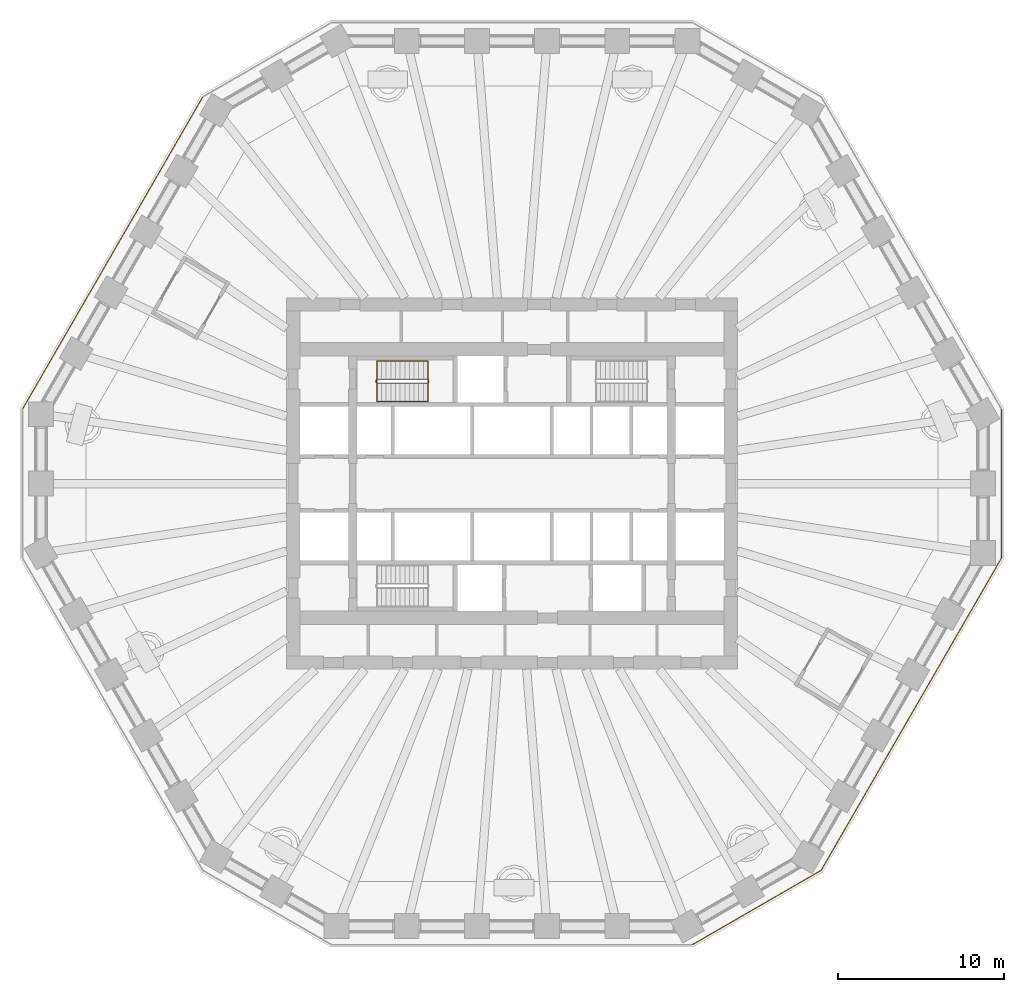
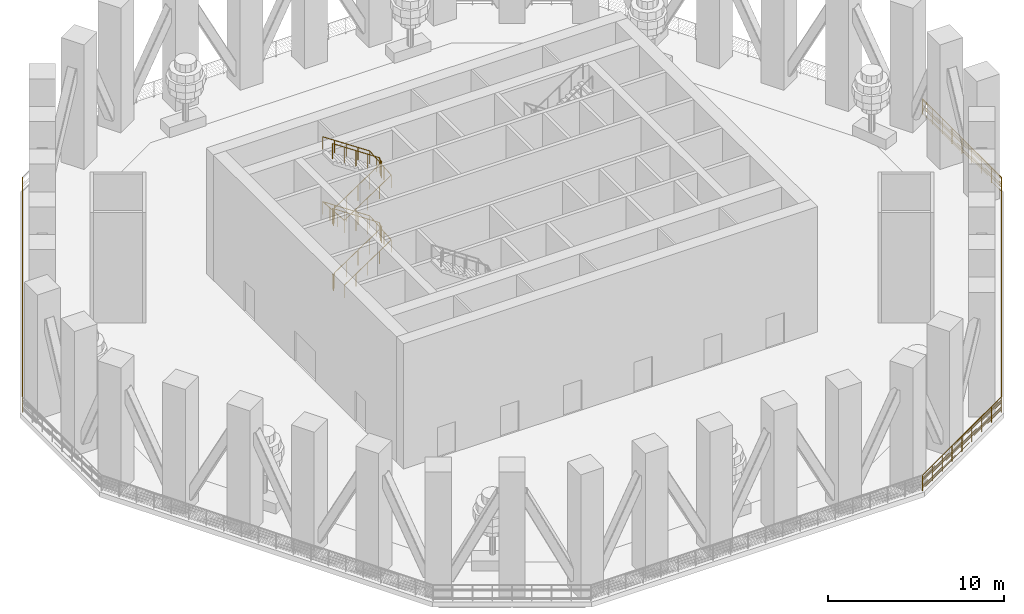
# One storey, part 7 of 10: 6 railings.
"""IFC4 building model written with IfcOpenShell, lengths in metres."""

from ifc_helpers import new_model, si_unit, direction, frame, origin, origin_2d, place, context, subcontext, project, spatial, circle, extrude, material, type_object, element, save


model = new_model("IFC4")

# Units and contexts
model_context = context("Model", 3, precision=1e-05, world=origin(), true_north=direction((0.0, 1.0)))
body_context = subcontext(model_context, "Body", "Model", "MODEL_VIEW")
ifc_project = project(units=[si_unit("LENGTHUNIT", "METRE"), si_unit("AREAUNIT", "SQUARE_METRE"), si_unit("VOLUMEUNIT", "CUBIC_METRE"), si_unit("PLANEANGLEUNIT", "RADIAN"), si_unit("MASSUNIT", "GRAM", prefix="KILO")], contexts=[model_context])

# Site, building, storey
site_placement = place(None, origin())
site = spatial("IfcSite", under=ifc_project, at=site_placement, CompositionType="ELEMENT")
building_placement = place(site_placement, origin())
building = spatial("IfcBuilding", under=site, at=building_placement, Name="Frailejon Research Tower", CompositionType="ELEMENT")
storey_placement = place(building_placement, frame((0.0, 0.0, 71.800048828125)))
storey = spatial("IfcBuildingStorey", under=building, at=storey_placement, Name="L16", CompositionType="ELEMENT", Elevation=71.800048828125)

# Railings
ifc_material_1 = material(Name="Stainless steel", Category="steel")
railing_type_1 = type_object("IfcRailingType", Name="Stair guard 1100", PredefinedType="GUARDRAIL", material=ifc_material_1)
railing_1_placement = place(storey_placement, frame((-8.199951171875, 6.25, 0.0)))
element("IfcRailing", 1, at=railing_1_placement, inside=storey, type_object=railing_type_1, Name="L16 ST1 stair guard 1", PredefinedType="GUARDRAIL", context=body_context, shape_type="SweptSolid", body=[
    extrude(circle(Radius=0.02392578125, at=origin_2d()), frame((0.0, 0.0, 1.076171875), z_axis=(0.0, -1.0, 0.0), x_axis=(1.0, 0.0, 0.0)), (0.0, 0.0, 1.0), 0.14990234375),
    extrude(circle(Radius=0.02392578125, at=origin_2d()), frame((0.0, -0.14990234375, 1.076171875), z_axis=(0.249726431254, -0.249726431254, 0.935560483917), x_axis=(0.707106781187, 0.707106781187, 0.0)), (0.0, 0.0, 1.0), 0.200439453125),
    extrude(circle(Radius=0.02392578125, at=origin_2d()), frame((0.050048828125, -0.199951171875, 1.263671875), z_axis=(0.830893310487, 0.0, 0.556431762742), x_axis=(0.0, 1.0, 0.0)), (0.0, 0.0, 1.0), 3.70654296875),
    extrude(circle(Radius=0.02392578125, at=origin_2d()), frame((3.1298828125, -0.199951171875, 3.326171875), z_axis=(0.707106781187, 0.707106781187, 0.0), x_axis=(-0.707106781187, 0.707106781187, 0.0)), (0.0, 0.0, 1.0), 0.07080078125),
    extrude(circle(Radius=0.02392578125, at=origin_2d()), frame((3.179931640625, -0.14990234375, 3.326171875), z_axis=(0.0, 1.0, 0.0), x_axis=(-1.0, 0.0, 0.0)), (0.0, 0.0, 1.0), 0.14990234375),
    extrude(circle(Radius=0.02392578125, at=origin_2d()), frame((3.179931640625, 0.0, 3.326171875), z_axis=(-0.249726431254, 0.249726431254, 0.935560483917), x_axis=(-0.707106781187, -0.707106781187, 0.0)), (0.0, 0.0, 1.0), 0.200439453125),
    extrude(circle(Radius=0.02392578125, at=origin_2d()), frame((3.1298828125, 0.050048828125, 3.513671875), z_axis=(-0.830893310487, 0.0, 0.556431762742), x_axis=(0.0, -1.0, 0.0)), (0.0, 0.0, 1.0), 3.70654296875),
    extrude(circle(Radius=0.02392578125, at=origin_2d()), frame((0.050048828125, 0.050048828125, 5.576171875), z_axis=(-0.707106781187, -0.707106781187, 0.0), x_axis=(0.707106781187, -0.707106781187, 0.0)), (0.0, 0.0, 1.0), 0.07080078125),
    extrude(circle(Radius=0.02392578125, at=origin_2d()), frame((0.0, 0.0, 5.576171875), z_axis=(0.0, -1.0, 0.0), x_axis=(1.0, 0.0, 0.0)), (0.0, 0.0, 1.0), 0.14990234375),
    extrude(circle(Radius=0.02392578125, at=origin_2d()), frame((0.0, -0.14990234375, 5.576171875), z_axis=(0.249726431254, -0.249726431254, 0.935560483917), x_axis=(0.707106781187, 0.707106781187, 0.0)), (0.0, 0.0, 1.0), 0.200439453125),
    extrude(circle(Radius=0.02392578125, at=origin_2d()), frame((0.050048828125, -0.199951171875, 5.763671875), z_axis=(0.830893310487, 0.0, 0.556431762742), x_axis=(0.0, 1.0, 0.0)), (0.0, 0.0, 1.0), 3.70654296875),
    extrude(circle(Radius=0.02392578125, at=origin_2d()), frame((3.1298828125, -0.199951171875, 7.826171875), z_axis=(0.707106781187, 0.707106781187, 0.0), x_axis=(-0.707106781187, 0.707106781187, 0.0)), (0.0, 0.0, 1.0), 0.07080078125),
    extrude(circle(Radius=0.02392578125, at=origin_2d()), frame((3.179931640625, -0.14990234375, 7.826171875), z_axis=(0.0, 1.0, 0.0), x_axis=(-1.0, 0.0, 0.0)), (0.0, 0.0, 1.0), 0.14990234375),
    extrude(circle(Radius=0.02392578125, at=origin_2d()), frame((3.179931640625, 0.0, 7.826171875), z_axis=(-0.249726431254, 0.249726431254, 0.935560483917), x_axis=(-0.707106781187, -0.707106781187, 0.0)), (0.0, 0.0, 1.0), 0.200439453125),
    extrude(circle(Radius=0.02392578125, at=origin_2d()), frame((3.1298828125, 0.050048828125, 8.013671875), z_axis=(-0.830893310487, 0.0, 0.556431762742), x_axis=(0.0, -1.0, 0.0)), (0.0, 0.0, 1.0), 3.70654296875),
    extrude(circle(Radius=0.02099609375, at=origin_2d()), origin(), (0.0, 0.0, 1.0), 1.052001953125),
    extrude(circle(Radius=0.02099609375, at=origin_2d()), frame((0.0, -0.14990234375, 0.0)), (0.0, 0.0, 1.0), 1.052001953125),
    extrude(circle(Radius=0.02099609375, at=origin_2d()), frame((0.050048828125, -0.199951171875, 0.1875)), (0.0, 0.0, 1.0), 1.052001953125),
    extrude(circle(Radius=0.02099609375, at=origin_2d()), frame((0.820068359375, -0.199951171875, 0.703125)), (0.0, 0.0, 1.0), 1.052001953125),
    extrude(circle(Radius=0.02099609375, at=origin_2d()), frame((1.58984375, -0.199951171875, 1.21875)), (0.0, 0.0, 1.0), 1.052001953125),
    extrude(circle(Radius=0.02099609375, at=origin_2d()), frame((2.35986328125, -0.199951171875, 1.734375)), (0.0, 0.0, 1.0), 1.052001953125),
    extrude(circle(Radius=0.02099609375, at=origin_2d()), frame((3.1298828125, -0.199951171875, 2.25)), (0.0, 0.0, 1.0), 1.052001953125),
    extrude(circle(Radius=0.02099609375, at=origin_2d()), frame((3.179931640625, -0.14990234375, 2.25)), (0.0, 0.0, 1.0), 1.052001953125),
    extrude(circle(Radius=0.02099609375, at=origin_2d()), frame((3.179931640625, 0.0, 2.25)), (0.0, 0.0, 1.0), 1.052001953125),
    extrude(circle(Radius=0.02099609375, at=origin_2d()), frame((3.1298828125, 0.050048828125, 2.4375)), (0.0, 0.0, 1.0), 1.052001953125),
    extrude(circle(Radius=0.02099609375, at=origin_2d()), frame((2.35986328125, 0.050048828125, 2.953125)), (0.0, 0.0, 1.0), 1.052001953125),
    extrude(circle(Radius=0.02099609375, at=origin_2d()), frame((1.58984375, 0.050048828125, 3.46875)), (0.0, 0.0, 1.0), 1.052001953125),
    extrude(circle(Radius=0.02099609375, at=origin_2d()), frame((0.820068359375, 0.050048828125, 3.984375)), (0.0, 0.0, 1.0), 1.052001953125),
    extrude(circle(Radius=0.02099609375, at=origin_2d()), frame((0.050048828125, 0.050048828125, 4.5)), (0.0, 0.0, 1.0), 1.052001953125),
    extrude(circle(Radius=0.02099609375, at=origin_2d()), frame((0.0, 0.0, 4.5)), (0.0, 0.0, 1.0), 1.052001953125),
    extrude(circle(Radius=0.02099609375, at=origin_2d()), frame((0.0, -0.14990234375, 4.5)), (0.0, 0.0, 1.0), 1.052001953125),
    extrude(circle(Radius=0.02099609375, at=origin_2d()), frame((0.050048828125, -0.199951171875, 4.6875)), (0.0, 0.0, 1.0), 1.052001953125),
    extrude(circle(Radius=0.02099609375, at=origin_2d()), frame((0.820068359375, -0.199951171875, 5.203125)), (0.0, 0.0, 1.0), 1.052001953125),
    extrude(circle(Radius=0.02099609375, at=origin_2d()), frame((1.58984375, -0.199951171875, 5.71875)), (0.0, 0.0, 1.0), 1.052001953125),
    extrude(circle(Radius=0.02099609375, at=origin_2d()), frame((2.35986328125, -0.199951171875, 6.234375)), (0.0, 0.0, 1.0), 1.052001953125),
    extrude(circle(Radius=0.02099609375, at=origin_2d()), frame((3.1298828125, -0.199951171875, 6.75)), (0.0, 0.0, 1.0), 1.052001953125),
    extrude(circle(Radius=0.02099609375, at=origin_2d()), frame((3.179931640625, -0.14990234375, 6.75)), (0.0, 0.0, 1.0), 1.052001953125),
    extrude(circle(Radius=0.02099609375, at=origin_2d()), frame((3.179931640625, 0.0, 6.75)), (0.0, 0.0, 1.0), 1.052001953125),
    extrude(circle(Radius=0.02099609375, at=origin_2d()), frame((3.1298828125, 0.050048828125, 6.9375)), (0.0, 0.0, 1.0), 1.052001953125),
    extrude(circle(Radius=0.02099609375, at=origin_2d()), frame((2.35986328125, 0.050048828125, 7.453125)), (0.0, 0.0, 1.0), 1.052001953125),
    extrude(circle(Radius=0.02099609375, at=origin_2d()), frame((1.58984375, 0.050048828125, 7.96875)), (0.0, 0.0, 1.0), 1.052001953125),
    extrude(circle(Radius=0.02099609375, at=origin_2d()), frame((0.820068359375, 0.050048828125, 8.484375)), (0.0, 0.0, 1.0), 1.052001953125),
    extrude(circle(Radius=0.02099609375, at=origin_2d()), frame((0.050048828125, 0.050048828125, 9.0)), (0.0, 0.0, 1.0), 1.052001953125),
])
ifc_material_2 = material(Name="Stainless steel", Category="steel")
railing_type_2 = type_object("IfcRailingType", Name="Stair handrail 900", PredefinedType="HANDRAIL", material=ifc_material_2)
railing_2_placement = place(storey_placement, frame((-8.14990234375, 4.949951171875, 0.1875)))
element("IfcRailing", 2, at=railing_2_placement, inside=storey, type_object=railing_type_2, Name="L16 ST1 stair handrail 1", PredefinedType="HANDRAIL", context=body_context, shape_type="SweptSolid", body=[
    extrude(circle(Radius=0.02392578125, at=origin_2d()), frame((0.0, 0.0, 0.8759765625), z_axis=(0.830893310487, 0.0, 0.556431762742), x_axis=(0.0, 1.0, 0.0)), (0.0, 0.0, 1.0), 3.70654296875),
    extrude(circle(Radius=0.02392578125, at=origin_2d()), frame((3.079833984375, 0.0, 2.9384765625), z_axis=(0.0, 0.997084218397, 0.07630898652), x_axis=(-1.0, 0.0, 0.0)), (0.0, 0.0, 1.0), 2.45703125),
    extrude(circle(Radius=0.02392578125, at=origin_2d()), frame((3.079833984375, 2.449951171875, 3.1259765625), z_axis=(-0.830893310487, 0.0, 0.556431762742), x_axis=(0.0, -1.0, 0.0)), (0.0, 0.0, 1.0), 3.70654296875),
    extrude(circle(Radius=0.02392578125, at=origin_2d()), frame((0.0, 2.449951171875, 5.1884765625), z_axis=(0.0, -0.997084218397, 0.07630898652), x_axis=(1.0, 0.0, 0.0)), (0.0, 0.0, 1.0), 2.45703125),
    extrude(circle(Radius=0.02392578125, at=origin_2d()), frame((0.0, 0.0, 5.3759765625), z_axis=(0.830893310487, 0.0, 0.556431762742), x_axis=(0.0, 1.0, 0.0)), (0.0, 0.0, 1.0), 3.70654296875),
    extrude(circle(Radius=0.02392578125, at=origin_2d()), frame((3.079833984375, 0.0, 7.4384765625), z_axis=(0.0, 0.997084218397, 0.07630898652), x_axis=(-1.0, 0.0, 0.0)), (0.0, 0.0, 1.0), 2.45703125),
    extrude(circle(Radius=0.02392578125, at=origin_2d()), frame((3.079833984375, 2.449951171875, 7.6259765625), z_axis=(-0.830893310487, 0.0, 0.556431762742), x_axis=(0.0, -1.0, 0.0)), (0.0, 0.0, 1.0), 3.70654296875),
    extrude(circle(Radius=0.02099609375, at=origin_2d()), origin(), (0.0, 0.0, 1.0), 0.851806640625),
    extrude(circle(Radius=0.02099609375, at=origin_2d()), frame((0.77001953125, 0.0, 0.515625)), (0.0, 0.0, 1.0), 0.851806640625),
    extrude(circle(Radius=0.02099609375, at=origin_2d()), frame((1.5400390625, 0.0, 1.03125)), (0.0, 0.0, 1.0), 0.851806640625),
    extrude(circle(Radius=0.02099609375, at=origin_2d()), frame((2.309814453125, 0.0, 1.546875)), (0.0, 0.0, 1.0), 0.851806640625),
    extrude(circle(Radius=0.02099609375, at=origin_2d()), frame((3.079833984375, 0.0, 2.0625)), (0.0, 0.0, 1.0), 0.851806640625),
    extrude(circle(Radius=0.02099609375, at=origin_2d()), frame((3.079833984375, 0.816650390625, 2.125)), (0.0, 0.0, 1.0), 0.851806640625),
    extrude(circle(Radius=0.02099609375, at=origin_2d()), frame((3.079833984375, 1.63330078125, 2.1875)), (0.0, 0.0, 1.0), 0.851806640625),
    extrude(circle(Radius=0.02099609375, at=origin_2d()), frame((3.079833984375, 2.449951171875, 2.25)), (0.0, 0.0, 1.0), 0.851806640625),
    extrude(circle(Radius=0.02099609375, at=origin_2d()), frame((2.309814453125, 2.449951171875, 2.765625)), (0.0, 0.0, 1.0), 0.851806640625),
    extrude(circle(Radius=0.02099609375, at=origin_2d()), frame((1.5400390625, 2.449951171875, 3.28125)), (0.0, 0.0, 1.0), 0.851806640625),
    extrude(circle(Radius=0.02099609375, at=origin_2d()), frame((0.77001953125, 2.449951171875, 3.796875)), (0.0, 0.0, 1.0), 0.851806640625),
    extrude(circle(Radius=0.02099609375, at=origin_2d()), frame((0.0, 2.449951171875, 4.3125)), (0.0, 0.0, 1.0), 0.851806640625),
    extrude(circle(Radius=0.02099609375, at=origin_2d()), frame((0.0, 1.63330078125, 4.375)), (0.0, 0.0, 1.0), 0.851806640625),
    extrude(circle(Radius=0.02099609375, at=origin_2d()), frame((0.0, 0.816650390625, 4.4375)), (0.0, 0.0, 1.0), 0.851806640625),
    extrude(circle(Radius=0.02099609375, at=origin_2d()), frame((0.0, 0.0, 4.5)), (0.0, 0.0, 1.0), 0.851806640625),
    extrude(circle(Radius=0.02099609375, at=origin_2d()), frame((0.77001953125, 0.0, 5.015625)), (0.0, 0.0, 1.0), 0.851806640625),
    extrude(circle(Radius=0.02099609375, at=origin_2d()), frame((1.5400390625, 0.0, 5.53125)), (0.0, 0.0, 1.0), 0.851806640625),
    extrude(circle(Radius=0.02099609375, at=origin_2d()), frame((2.309814453125, 0.0, 6.046875)), (0.0, 0.0, 1.0), 0.851806640625),
    extrude(circle(Radius=0.02099609375, at=origin_2d()), frame((3.079833984375, 0.0, 6.5625)), (0.0, 0.0, 1.0), 0.851806640625),
    extrude(circle(Radius=0.02099609375, at=origin_2d()), frame((3.079833984375, 0.816650390625, 6.625)), (0.0, 0.0, 1.0), 0.851806640625),
    extrude(circle(Radius=0.02099609375, at=origin_2d()), frame((3.079833984375, 1.63330078125, 6.6875)), (0.0, 0.0, 1.0), 0.851806640625),
    extrude(circle(Radius=0.02099609375, at=origin_2d()), frame((3.079833984375, 2.449951171875, 6.75)), (0.0, 0.0, 1.0), 0.851806640625),
    extrude(circle(Radius=0.02099609375, at=origin_2d()), frame((2.309814453125, 2.449951171875, 7.265625)), (0.0, 0.0, 1.0), 0.851806640625),
    extrude(circle(Radius=0.02099609375, at=origin_2d()), frame((1.5400390625, 2.449951171875, 7.78125)), (0.0, 0.0, 1.0), 0.851806640625),
    extrude(circle(Radius=0.02099609375, at=origin_2d()), frame((0.77001953125, 2.449951171875, 8.296875)), (0.0, 0.0, 1.0), 0.851806640625),
    extrude(circle(Radius=0.02099609375, at=origin_2d()), frame((0.0, 2.449951171875, 8.8125)), (0.0, 0.0, 1.0), 0.851806640625),
])
ifc_material_3 = material(Name="Stainless steel posts, rail and cable infill", Category="steel")
railing_type_3 = type_object("IfcRailingType", Name="Terrace rail guard 1100", PredefinedType="GUARDRAIL", material=ifc_material_3)
railing_3_placement = place(storey_placement, frame((29.53369140625, -4.48779296875, 0.0)))
element("IfcRailing", 3, at=railing_3_placement, inside=storey, type_object=railing_type_3, Name="Wind floor terrace guard L16 1", PredefinedType="GUARDRAIL", context=body_context, shape_type="SweptSolid", body=[
    extrude(circle(Radius=0.02392578125, at=origin_2d()), frame((0.0, 0.0, 1.080078125), z_axis=(0.0, 1.0, 0.0), x_axis=(-1.0, 0.0, 0.0)), (0.0, 0.0, 1.0), 8.9755859375),
    extrude(circle(Radius=0.005859375, at=origin_2d()), frame((0.0, 0.0, 0.097900390625), z_axis=(0.0, 1.0, 0.0), x_axis=(-1.0, 0.0, 0.0)), (0.0, 0.0, 1.0), 8.9755859375),
    extrude(circle(Radius=0.005859375, at=origin_2d()), frame((0.0, 0.0, 0.195556640625), z_axis=(0.0, 1.0, 0.0), x_axis=(-1.0, 0.0, 0.0)), (0.0, 0.0, 1.0), 8.9755859375),
    extrude(circle(Radius=0.005859375, at=origin_2d()), frame((0.0, 0.0, 0.29345703125), z_axis=(0.0, 1.0, 0.0), x_axis=(-1.0, 0.0, 0.0)), (0.0, 0.0, 1.0), 8.9755859375),
    extrude(circle(Radius=0.005859375, at=origin_2d()), frame((0.0, 0.0, 0.391357421875), z_axis=(0.0, 1.0, 0.0), x_axis=(-1.0, 0.0, 0.0)), (0.0, 0.0, 1.0), 8.9755859375),
    extrude(circle(Radius=0.005859375, at=origin_2d()), frame((0.0, 0.0, 0.489013671875), z_axis=(0.0, 1.0, 0.0), x_axis=(-1.0, 0.0, 0.0)), (0.0, 0.0, 1.0), 8.9755859375),
    extrude(circle(Radius=0.005859375, at=origin_2d()), frame((0.0, 0.0, 0.5869140625), z_axis=(0.0, 1.0, 0.0), x_axis=(-1.0, 0.0, 0.0)), (0.0, 0.0, 1.0), 8.9755859375),
    extrude(circle(Radius=0.005859375, at=origin_2d()), frame((0.0, 0.0, 0.684814453125), z_axis=(0.0, 1.0, 0.0), x_axis=(-1.0, 0.0, 0.0)), (0.0, 0.0, 1.0), 8.9755859375),
    extrude(circle(Radius=0.005859375, at=origin_2d()), frame((0.0, 0.0, 0.782470703125), z_axis=(0.0, 1.0, 0.0), x_axis=(-1.0, 0.0, 0.0)), (0.0, 0.0, 1.0), 8.9755859375),
    extrude(circle(Radius=0.005859375, at=origin_2d()), frame((0.0, 0.0, 0.88037109375), z_axis=(0.0, 1.0, 0.0), x_axis=(-1.0, 0.0, 0.0)), (0.0, 0.0, 1.0), 8.9755859375),
    extrude(circle(Radius=0.005859375, at=origin_2d()), frame((0.0, 0.0, 0.978271484375), z_axis=(0.0, 1.0, 0.0), x_axis=(-1.0, 0.0, 0.0)), (0.0, 0.0, 1.0), 8.9755859375),
    extrude(circle(Radius=0.02099609375, at=origin_2d()), origin(), (0.0, 0.0, 1.0), 1.052001953125),
    extrude(circle(Radius=0.02099609375, at=origin_2d()), frame((0.0, 1.1220703125, 0.0)), (0.0, 0.0, 1.0), 1.052001953125),
    extrude(circle(Radius=0.02099609375, at=origin_2d()), frame((0.0, 2.243896484375, 0.0)), (0.0, 0.0, 1.0), 1.052001953125),
    extrude(circle(Radius=0.02099609375, at=origin_2d()), frame((0.0, 3.36572265625, 0.0)), (0.0, 0.0, 1.0), 1.052001953125),
    extrude(circle(Radius=0.02099609375, at=origin_2d()), frame((0.0, 4.48779296875, 0.0)), (0.0, 0.0, 1.0), 1.052001953125),
    extrude(circle(Radius=0.02099609375, at=origin_2d()), frame((0.0, 5.60986328125, 0.0)), (0.0, 0.0, 1.0), 1.052001953125),
    extrude(circle(Radius=0.02099609375, at=origin_2d()), frame((0.0, 6.731689453125, 0.0)), (0.0, 0.0, 1.0), 1.052001953125),
    extrude(circle(Radius=0.02099609375, at=origin_2d()), frame((0.0, 7.853515625, 0.0)), (0.0, 0.0, 1.0), 1.052001953125),
    extrude(circle(Radius=0.02099609375, at=origin_2d()), frame((0.0, 8.9755859375, 0.0)), (0.0, 0.0, 1.0), 1.052001953125),
])
railing_4_placement = place(storey_placement, frame((-18.6533203125, 23.3330078125, 0.0)))
element("IfcRailing", 4, at=railing_4_placement, inside=storey, type_object=railing_type_3, Name="Wind floor terrace guard L16 6", PredefinedType="GUARDRAIL", context=body_context, shape_type="SweptSolid", body=[
    extrude(circle(Radius=0.02392578125, at=origin_2d()), frame((0.0, 0.0, 1.080078125), z_axis=(-0.500002799692, -0.866023787376, 0.0), x_axis=(0.866023787376, -0.500002799692, 0.0)), (0.0, 0.0, 1.0), 21.7607421875),
    extrude(circle(Radius=0.005859375, at=origin_2d()), frame((0.0, 0.0, 0.097900390625), z_axis=(-0.500002799692, -0.866023787376, 0.0), x_axis=(0.866023787376, -0.500002799692, 0.0)), (0.0, 0.0, 1.0), 21.7607421875),
    extrude(circle(Radius=0.005859375, at=origin_2d()), frame((0.0, 0.0, 0.195556640625), z_axis=(-0.500002799692, -0.866023787376, 0.0), x_axis=(0.866023787376, -0.500002799692, 0.0)), (0.0, 0.0, 1.0), 21.7607421875),
    extrude(circle(Radius=0.005859375, at=origin_2d()), frame((0.0, 0.0, 0.29345703125), z_axis=(-0.500002799692, -0.866023787376, 0.0), x_axis=(0.866023787376, -0.500002799692, 0.0)), (0.0, 0.0, 1.0), 21.7607421875),
    extrude(circle(Radius=0.005859375, at=origin_2d()), frame((0.0, 0.0, 0.391357421875), z_axis=(-0.500002799692, -0.866023787376, 0.0), x_axis=(0.866023787376, -0.500002799692, 0.0)), (0.0, 0.0, 1.0), 21.7607421875),
    extrude(circle(Radius=0.005859375, at=origin_2d()), frame((0.0, 0.0, 0.489013671875), z_axis=(-0.500002799692, -0.866023787376, 0.0), x_axis=(0.866023787376, -0.500002799692, 0.0)), (0.0, 0.0, 1.0), 21.7607421875),
    extrude(circle(Radius=0.005859375, at=origin_2d()), frame((0.0, 0.0, 0.5869140625), z_axis=(-0.500002799692, -0.866023787376, 0.0), x_axis=(0.866023787376, -0.500002799692, 0.0)), (0.0, 0.0, 1.0), 21.7607421875),
    extrude(circle(Radius=0.005859375, at=origin_2d()), frame((0.0, 0.0, 0.684814453125), z_axis=(-0.500002799692, -0.866023787376, 0.0), x_axis=(0.866023787376, -0.500002799692, 0.0)), (0.0, 0.0, 1.0), 21.7607421875),
    extrude(circle(Radius=0.005859375, at=origin_2d()), frame((0.0, 0.0, 0.782470703125), z_axis=(-0.500002799692, -0.866023787376, 0.0), x_axis=(0.866023787376, -0.500002799692, 0.0)), (0.0, 0.0, 1.0), 21.7607421875),
    extrude(circle(Radius=0.005859375, at=origin_2d()), frame((0.0, 0.0, 0.88037109375), z_axis=(-0.500002799692, -0.866023787376, 0.0), x_axis=(0.866023787376, -0.500002799692, 0.0)), (0.0, 0.0, 1.0), 21.7607421875),
    extrude(circle(Radius=0.005859375, at=origin_2d()), frame((0.0, 0.0, 0.978271484375), z_axis=(-0.500002799692, -0.866023787376, 0.0), x_axis=(0.866023787376, -0.500002799692, 0.0)), (0.0, 0.0, 1.0), 21.7607421875),
    extrude(circle(Radius=0.02099609375, at=origin_2d()), origin(), (0.0, 0.0, 1.0), 1.052001953125),
    extrude(circle(Radius=0.02099609375, at=origin_2d()), frame((-0.57275390625, -0.991943359375, 0.0)), (0.0, 0.0, 1.0), 1.052001953125),
    extrude(circle(Radius=0.02099609375, at=origin_2d()), frame((-1.145263671875, -1.983642578125, 0.0)), (0.0, 0.0, 1.0), 1.052001953125),
    extrude(circle(Radius=0.02099609375, at=origin_2d()), frame((-1.718017578125, -2.9755859375, 0.0)), (0.0, 0.0, 1.0), 1.052001953125),
    extrude(circle(Radius=0.02099609375, at=origin_2d()), frame((-2.29052734375, -3.967529296875, 0.0)), (0.0, 0.0, 1.0), 1.052001953125),
    extrude(circle(Radius=0.02099609375, at=origin_2d()), frame((-2.86328125, -4.959228515625, 0.0)), (0.0, 0.0, 1.0), 1.052001953125),
    extrude(circle(Radius=0.02099609375, at=origin_2d()), frame((-3.435791015625, -5.951171875, 0.0)), (0.0, 0.0, 1.0), 1.052001953125),
    extrude(circle(Radius=0.02099609375, at=origin_2d()), frame((-4.008544921875, -6.94287109375, 0.0)), (0.0, 0.0, 1.0), 1.052001953125),
    extrude(circle(Radius=0.02099609375, at=origin_2d()), frame((-4.581298828125, -7.934814453125, 0.0)), (0.0, 0.0, 1.0), 1.052001953125),
    extrude(circle(Radius=0.02099609375, at=origin_2d()), frame((-5.15380859375, -8.9267578125, 0.0)), (0.0, 0.0, 1.0), 1.052001953125),
    extrude(circle(Radius=0.02099609375, at=origin_2d()), frame((-5.7265625, -9.91845703125, 0.0)), (0.0, 0.0, 1.0), 1.052001953125),
    extrude(circle(Radius=0.02099609375, at=origin_2d()), frame((-6.299072265625, -10.910400390625, 0.0)), (0.0, 0.0, 1.0), 1.052001953125),
    extrude(circle(Radius=0.02099609375, at=origin_2d()), frame((-6.871826171875, -11.90234375, 0.0)), (0.0, 0.0, 1.0), 1.052001953125),
    extrude(circle(Radius=0.02099609375, at=origin_2d()), frame((-7.444580078125, -12.89404296875, 0.0)), (0.0, 0.0, 1.0), 1.052001953125),
    extrude(circle(Radius=0.02099609375, at=origin_2d()), frame((-8.01708984375, -13.885986328125, 0.0)), (0.0, 0.0, 1.0), 1.052001953125),
    extrude(circle(Radius=0.02099609375, at=origin_2d()), frame((-8.58984375, -14.877685546875, 0.0)), (0.0, 0.0, 1.0), 1.052001953125),
    extrude(circle(Radius=0.02099609375, at=origin_2d()), frame((-9.162353515625, -15.86962890625, 0.0)), (0.0, 0.0, 1.0), 1.052001953125),
    extrude(circle(Radius=0.02099609375, at=origin_2d()), frame((-9.735107421875, -16.861572265625, 0.0)), (0.0, 0.0, 1.0), 1.052001953125),
    extrude(circle(Radius=0.02099609375, at=origin_2d()), frame((-10.3076171875, -17.853271484375, 0.0)), (0.0, 0.0, 1.0), 1.052001953125),
    extrude(circle(Radius=0.02099609375, at=origin_2d()), frame((-10.88037109375, -18.84521484375, 0.0)), (0.0, 0.0, 1.0), 1.052001953125),
])
railing_5_placement = place(storey_placement, frame((10.880126953125, -27.82080078125, 0.0)))
element("IfcRailing", 5, at=railing_5_placement, inside=storey, type_object=railing_type_3, Name="Wind floor terrace guard L16 11", PredefinedType="GUARDRAIL", context=body_context, shape_type="SweptSolid", body=[
    extrude(circle(Radius=0.02392578125, at=origin_2d()), frame((0.0, 0.0, 1.080078125), z_axis=(0.866028409771, 0.499994793442, 0.0), x_axis=(-0.499994793442, 0.866028409771, 0.0)), (0.0, 0.0, 1.0), 8.9755859375),
    extrude(circle(Radius=0.005859375, at=origin_2d()), frame((0.0, 0.0, 0.097900390625), z_axis=(0.866028409771, 0.499994793442, 0.0), x_axis=(-0.499994793442, 0.866028409771, 0.0)), (0.0, 0.0, 1.0), 8.9755859375),
    extrude(circle(Radius=0.005859375, at=origin_2d()), frame((0.0, 0.0, 0.195556640625), z_axis=(0.866028409771, 0.499994793442, 0.0), x_axis=(-0.499994793442, 0.866028409771, 0.0)), (0.0, 0.0, 1.0), 8.9755859375),
    extrude(circle(Radius=0.005859375, at=origin_2d()), frame((0.0, 0.0, 0.29345703125), z_axis=(0.866028409771, 0.499994793442, 0.0), x_axis=(-0.499994793442, 0.866028409771, 0.0)), (0.0, 0.0, 1.0), 8.9755859375),
    extrude(circle(Radius=0.005859375, at=origin_2d()), frame((0.0, 0.0, 0.391357421875), z_axis=(0.866028409771, 0.499994793442, 0.0), x_axis=(-0.499994793442, 0.866028409771, 0.0)), (0.0, 0.0, 1.0), 8.9755859375),
    extrude(circle(Radius=0.005859375, at=origin_2d()), frame((0.0, 0.0, 0.489013671875), z_axis=(0.866028409771, 0.499994793442, 0.0), x_axis=(-0.499994793442, 0.866028409771, 0.0)), (0.0, 0.0, 1.0), 8.9755859375),
    extrude(circle(Radius=0.005859375, at=origin_2d()), frame((0.0, 0.0, 0.5869140625), z_axis=(0.866028409771, 0.499994793442, 0.0), x_axis=(-0.499994793442, 0.866028409771, 0.0)), (0.0, 0.0, 1.0), 8.9755859375),
    extrude(circle(Radius=0.005859375, at=origin_2d()), frame((0.0, 0.0, 0.684814453125), z_axis=(0.866028409771, 0.499994793442, 0.0), x_axis=(-0.499994793442, 0.866028409771, 0.0)), (0.0, 0.0, 1.0), 8.9755859375),
    extrude(circle(Radius=0.005859375, at=origin_2d()), frame((0.0, 0.0, 0.782470703125), z_axis=(0.866028409771, 0.499994793442, 0.0), x_axis=(-0.499994793442, 0.866028409771, 0.0)), (0.0, 0.0, 1.0), 8.9755859375),
    extrude(circle(Radius=0.005859375, at=origin_2d()), frame((0.0, 0.0, 0.88037109375), z_axis=(0.866028409771, 0.499994793442, 0.0), x_axis=(-0.499994793442, 0.866028409771, 0.0)), (0.0, 0.0, 1.0), 8.9755859375),
    extrude(circle(Radius=0.005859375, at=origin_2d()), frame((0.0, 0.0, 0.978271484375), z_axis=(0.866028409771, 0.499994793442, 0.0), x_axis=(-0.499994793442, 0.866028409771, 0.0)), (0.0, 0.0, 1.0), 8.9755859375),
    extrude(circle(Radius=0.02099609375, at=origin_2d()), origin(), (0.0, 0.0, 1.0), 1.052001953125),
    extrude(circle(Radius=0.02099609375, at=origin_2d()), frame((0.9716796875, 0.56103515625, 0.0)), (0.0, 0.0, 1.0), 1.052001953125),
    extrude(circle(Radius=0.02099609375, at=origin_2d()), frame((1.943359375, 1.1220703125, 0.0)), (0.0, 0.0, 1.0), 1.052001953125),
    extrude(circle(Radius=0.02099609375, at=origin_2d()), frame((2.9150390625, 1.682861328125, 0.0)), (0.0, 0.0, 1.0), 1.052001953125),
    extrude(circle(Radius=0.02099609375, at=origin_2d()), frame((3.88671875, 2.243896484375, 0.0)), (0.0, 0.0, 1.0), 1.052001953125),
    extrude(circle(Radius=0.02099609375, at=origin_2d()), frame((4.858154296875, 2.804931640625, 0.0)), (0.0, 0.0, 1.0), 1.052001953125),
    extrude(circle(Radius=0.02099609375, at=origin_2d()), frame((5.829833984375, 3.36572265625, 0.0)), (0.0, 0.0, 1.0), 1.052001953125),
    extrude(circle(Radius=0.02099609375, at=origin_2d()), frame((6.801513671875, 3.9267578125, 0.0)), (0.0, 0.0, 1.0), 1.052001953125),
    extrude(circle(Radius=0.02099609375, at=origin_2d()), frame((7.773193359375, 4.48779296875, 0.0)), (0.0, 0.0, 1.0), 1.052001953125),
])
railing_6_placement = place(storey_placement, frame((18.6533203125, -23.3330078125, 0.0)))
element("IfcRailing", 6, at=railing_6_placement, inside=storey, type_object=railing_type_3, Name="Wind floor terrace guard L16 12", PredefinedType="GUARDRAIL", context=body_context, shape_type="SweptSolid", body=[
    extrude(circle(Radius=0.02392578125, at=origin_2d()), frame((0.0, 0.0, 1.080078125), z_axis=(0.500002799692, 0.866023787376, 0.0), x_axis=(-0.866023787376, 0.500002799692, 0.0)), (0.0, 0.0, 1.0), 21.7607421875),
    extrude(circle(Radius=0.005859375, at=origin_2d()), frame((0.0, 0.0, 0.097900390625), z_axis=(0.500002799692, 0.866023787376, 0.0), x_axis=(-0.866023787376, 0.500002799692, 0.0)), (0.0, 0.0, 1.0), 21.7607421875),
    extrude(circle(Radius=0.005859375, at=origin_2d()), frame((0.0, 0.0, 0.195556640625), z_axis=(0.500002799692, 0.866023787376, 0.0), x_axis=(-0.866023787376, 0.500002799692, 0.0)), (0.0, 0.0, 1.0), 21.7607421875),
    extrude(circle(Radius=0.005859375, at=origin_2d()), frame((0.0, 0.0, 0.29345703125), z_axis=(0.500002799692, 0.866023787376, 0.0), x_axis=(-0.866023787376, 0.500002799692, 0.0)), (0.0, 0.0, 1.0), 21.7607421875),
    extrude(circle(Radius=0.005859375, at=origin_2d()), frame((0.0, 0.0, 0.391357421875), z_axis=(0.500002799692, 0.866023787376, 0.0), x_axis=(-0.866023787376, 0.500002799692, 0.0)), (0.0, 0.0, 1.0), 21.7607421875),
    extrude(circle(Radius=0.005859375, at=origin_2d()), frame((0.0, 0.0, 0.489013671875), z_axis=(0.500002799692, 0.866023787376, 0.0), x_axis=(-0.866023787376, 0.500002799692, 0.0)), (0.0, 0.0, 1.0), 21.7607421875),
    extrude(circle(Radius=0.005859375, at=origin_2d()), frame((0.0, 0.0, 0.5869140625), z_axis=(0.500002799692, 0.866023787376, 0.0), x_axis=(-0.866023787376, 0.500002799692, 0.0)), (0.0, 0.0, 1.0), 21.7607421875),
    extrude(circle(Radius=0.005859375, at=origin_2d()), frame((0.0, 0.0, 0.684814453125), z_axis=(0.500002799692, 0.866023787376, 0.0), x_axis=(-0.866023787376, 0.500002799692, 0.0)), (0.0, 0.0, 1.0), 21.7607421875),
    extrude(circle(Radius=0.005859375, at=origin_2d()), frame((0.0, 0.0, 0.782470703125), z_axis=(0.500002799692, 0.866023787376, 0.0), x_axis=(-0.866023787376, 0.500002799692, 0.0)), (0.0, 0.0, 1.0), 21.7607421875),
    extrude(circle(Radius=0.005859375, at=origin_2d()), frame((0.0, 0.0, 0.88037109375), z_axis=(0.500002799692, 0.866023787376, 0.0), x_axis=(-0.866023787376, 0.500002799692, 0.0)), (0.0, 0.0, 1.0), 21.7607421875),
    extrude(circle(Radius=0.005859375, at=origin_2d()), frame((0.0, 0.0, 0.978271484375), z_axis=(0.500002799692, 0.866023787376, 0.0), x_axis=(-0.866023787376, 0.500002799692, 0.0)), (0.0, 0.0, 1.0), 21.7607421875),
    extrude(circle(Radius=0.02099609375, at=origin_2d()), origin(), (0.0, 0.0, 1.0), 1.052001953125),
    extrude(circle(Radius=0.02099609375, at=origin_2d()), frame((0.57275390625, 0.991943359375, 0.0)), (0.0, 0.0, 1.0), 1.052001953125),
    extrude(circle(Radius=0.02099609375, at=origin_2d()), frame((1.145263671875, 1.983642578125, 0.0)), (0.0, 0.0, 1.0), 1.052001953125),
    extrude(circle(Radius=0.02099609375, at=origin_2d()), frame((1.718017578125, 2.9755859375, 0.0)), (0.0, 0.0, 1.0), 1.052001953125),
    extrude(circle(Radius=0.02099609375, at=origin_2d()), frame((2.29052734375, 3.967529296875, 0.0)), (0.0, 0.0, 1.0), 1.052001953125),
    extrude(circle(Radius=0.02099609375, at=origin_2d()), frame((2.86328125, 4.959228515625, 0.0)), (0.0, 0.0, 1.0), 1.052001953125),
    extrude(circle(Radius=0.02099609375, at=origin_2d()), frame((3.435791015625, 5.951171875, 0.0)), (0.0, 0.0, 1.0), 1.052001953125),
    extrude(circle(Radius=0.02099609375, at=origin_2d()), frame((4.008544921875, 6.94287109375, 0.0)), (0.0, 0.0, 1.0), 1.052001953125),
    extrude(circle(Radius=0.02099609375, at=origin_2d()), frame((4.581298828125, 7.934814453125, 0.0)), (0.0, 0.0, 1.0), 1.052001953125),
    extrude(circle(Radius=0.02099609375, at=origin_2d()), frame((5.15380859375, 8.9267578125, 0.0)), (0.0, 0.0, 1.0), 1.052001953125),
    extrude(circle(Radius=0.02099609375, at=origin_2d()), frame((5.7265625, 9.91845703125, 0.0)), (0.0, 0.0, 1.0), 1.052001953125),
    extrude(circle(Radius=0.02099609375, at=origin_2d()), frame((6.299072265625, 10.910400390625, 0.0)), (0.0, 0.0, 1.0), 1.052001953125),
    extrude(circle(Radius=0.02099609375, at=origin_2d()), frame((6.871826171875, 11.90234375, 0.0)), (0.0, 0.0, 1.0), 1.052001953125),
    extrude(circle(Radius=0.02099609375, at=origin_2d()), frame((7.444580078125, 12.89404296875, 0.0)), (0.0, 0.0, 1.0), 1.052001953125),
    extrude(circle(Radius=0.02099609375, at=origin_2d()), frame((8.01708984375, 13.885986328125, 0.0)), (0.0, 0.0, 1.0), 1.052001953125),
    extrude(circle(Radius=0.02099609375, at=origin_2d()), frame((8.58984375, 14.877685546875, 0.0)), (0.0, 0.0, 1.0), 1.052001953125),
    extrude(circle(Radius=0.02099609375, at=origin_2d()), frame((9.162353515625, 15.86962890625, 0.0)), (0.0, 0.0, 1.0), 1.052001953125),
    extrude(circle(Radius=0.02099609375, at=origin_2d()), frame((9.735107421875, 16.861572265625, 0.0)), (0.0, 0.0, 1.0), 1.052001953125),
    extrude(circle(Radius=0.02099609375, at=origin_2d()), frame((10.3076171875, 17.853271484375, 0.0)), (0.0, 0.0, 1.0), 1.052001953125),
    extrude(circle(Radius=0.02099609375, at=origin_2d()), frame((10.88037109375, 18.84521484375, 0.0)), (0.0, 0.0, 1.0), 1.052001953125),
])

save(model, "model.ifc")
